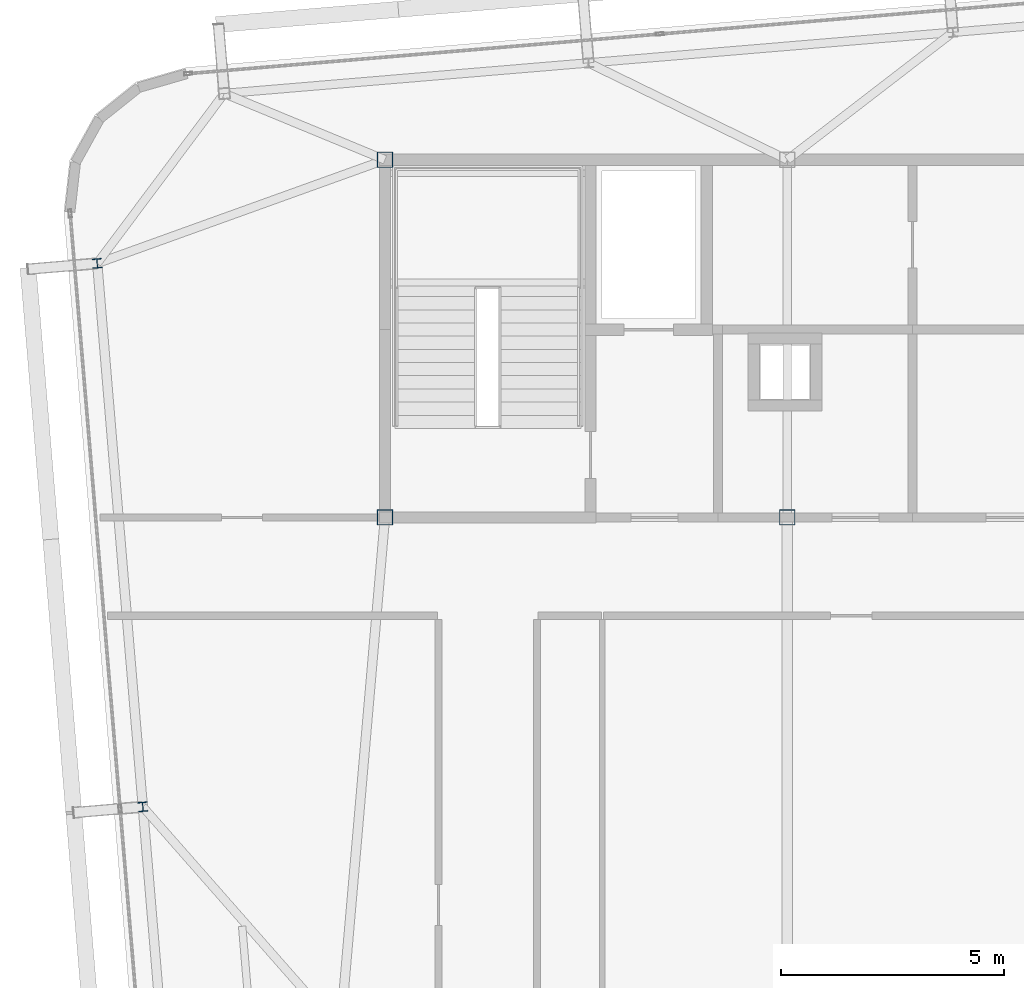
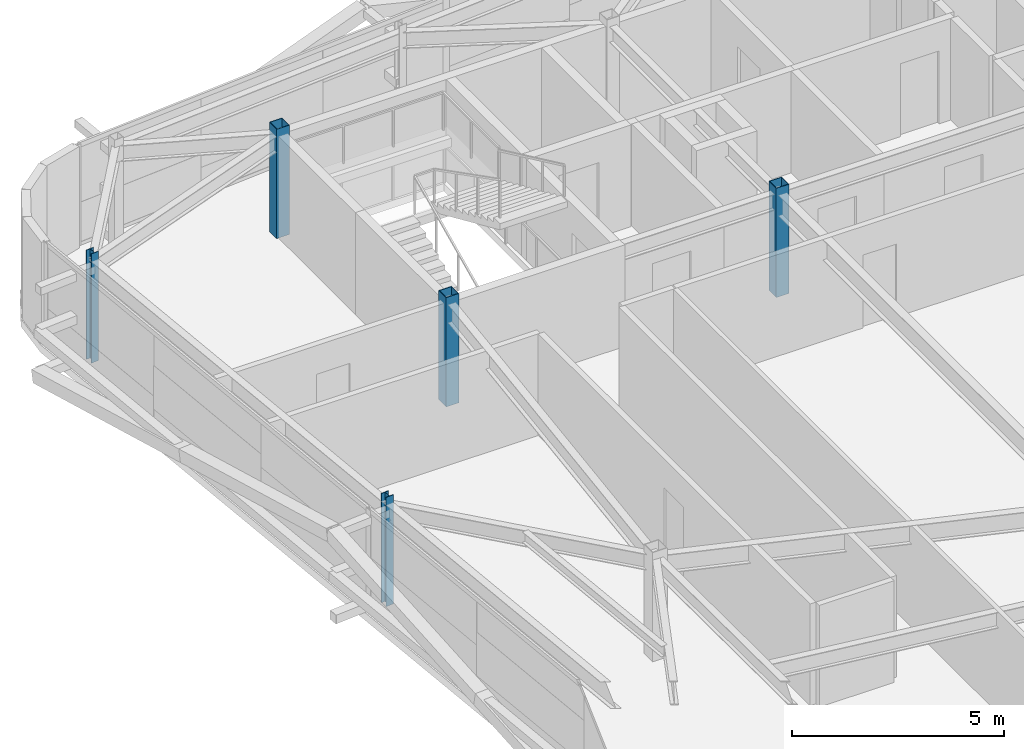
# One storey, part 2 of 39: 5 columns.
"""IFC4 building model written with IfcOpenShell, lengths in metres."""

import ifcopenshell
import ifcopenshell.guid

model = None  # the IFC model being written
_history = None  # IfcOwnerHistory: only IFC2X3 demands one
_inside = {}  # id of a spatial element -> (the spatial element, [elements in it])
_under = {}  # id of a project, library or spatial element -> (it, [spatial elements below it])
_declared = {}  # id of a project -> (the project, [libraries it declares])
_typed = {}  # id of a type object -> (the type object, [elements of that type])
_made_of = {}  # id of a material, layer set ... -> (it, [elements and type objects made of it])


def new_model(schema):
    """Start an empty IFC model of exactly this schema.

    Asked for "IFC4X3", IfcOpenShell would pick the latest addendum, in which some entities
    have other attributes; the version numbers below select the first issue.
    IFC2X3 requires an IfcOwnerHistory on every rooted entity: one is made here for all.
    """
    global model, _history
    if schema == "IFC4X3":
        model = ifcopenshell.file(schema_version=(4, 3, 0, 0))
    else:
        model = ifcopenshell.file(schema=schema)
    _inside.clear()
    _under.clear()
    _declared.clear()
    _typed.clear()
    _made_of.clear()
    _history = None
    if model.schema == "IFC2X3":
        org = make("IfcOrganization", Name="unknown")
        user = make(
            "IfcPersonAndOrganization",
            ThePerson=make("IfcPerson", FamilyName="unknown"),
            TheOrganization=org,
        )
        app = make(
            "IfcApplication",
            ApplicationDeveloper=org,
            Version="unknown",
            ApplicationFullName="unknown",
            ApplicationIdentifier="unknown",
        )
        _history = make(
            "IfcOwnerHistory",
            OwningUser=user,
            OwningApplication=app,
            ChangeAction="ADDED",
            CreationDate=0,
        )
    return model


def make(cls, **values):
    """One entity of the class cls with the attributes given. An attribute that is None is left unset."""
    return model.create_entity(
        cls, **{name: value for name, value in values.items() if value is not None}
    )


def rooted(cls, **values):
    """An entity with a GlobalId (a new one), such as an element, a storey or a relation."""
    return make(cls, GlobalId=ifcopenshell.guid.new(), OwnerHistory=_history, **values)


def si_unit(unit_type, name, prefix=None):
    """IfcSIUnit, for example si_unit("LENGTHUNIT", "METRE", prefix="MILLI")."""
    return make("IfcSIUnit", UnitType=unit_type, Prefix=prefix, Name=name)


def assignment(units):
    """IfcUnitAssignment: the units of a project."""
    return None if units is None else make("IfcUnitAssignment", Units=units)


def point(xyz):
    """IfcCartesianPoint."""
    return None if xyz is None else make("IfcCartesianPoint", Coordinates=xyz)


def direction(xyz):
    """IfcDirection."""
    return None if xyz is None else make("IfcDirection", DirectionRatios=xyz)


def frame(location, z_axis=None, x_axis=None):
    """IfcAxis2Placement3D, a coordinate frame: its origin and axes. An axis left out is left unset."""
    return make(
        "IfcAxis2Placement3D",
        Location=point(location),
        Axis=direction(z_axis),
        RefDirection=direction(x_axis),
    )


def frame_2d(location, x_axis=None):
    """IfcAxis2Placement2D, a coordinate frame in the plane: its origin and x axis."""
    return make(
        "IfcAxis2Placement2D", Location=point(location), RefDirection=direction(x_axis)
    )


def origin():
    """The frame at (0, 0, 0) with its axes left unset."""
    return frame((0.0, 0.0, 0.0))


def origin_2d():
    """The frame at (0, 0) in the plane with its x axis left unset."""
    return frame_2d((0.0, 0.0))


def place(relative_to, where):
    """IfcLocalPlacement: puts the frame where relative to a parent placement (None: the world)."""
    return make(
        "IfcLocalPlacement", PlacementRelTo=relative_to, RelativePlacement=where
    )


def context(
    kind, dimensions, precision=None, world=None, true_north=None, identifier=None
):
    """IfcGeometricRepresentationContext, for example the 3D "Model" context."""
    return make(
        "IfcGeometricRepresentationContext",
        ContextIdentifier=identifier,
        ContextType=kind,
        CoordinateSpaceDimension=dimensions,
        Precision=precision,
        WorldCoordinateSystem=world,
        TrueNorth=true_north,
    )


def subcontext(parent, identifier, kind, view, scale=None):
    """IfcGeometricRepresentationSubContext, for example "Body" below "Model"."""
    return make(
        "IfcGeometricRepresentationSubContext",
        ContextIdentifier=identifier,
        ContextType=kind,
        ParentContext=parent,
        TargetScale=scale,
        TargetView=view,
    )


def project(units=None, contexts=None):
    """IfcProject with its units and contexts."""
    return rooted(
        "IfcProject",
        Name="project",
        RepresentationContexts=contexts,
        UnitsInContext=assignment(units),
    )


def spatial(cls, under=None, at=None, **own):
    """A site, building, storey or space (cls), placed at a placement, below another one or the project."""
    s = rooted(cls, ObjectPlacement=at, **own)
    if under is not None:
        _under.setdefault(under.id(), (under, []))[1].append(s)
    return s


def profile(cls, at=None, kind="AREA", **sizes):
    """A parametric profile (cls). Its sizes go by their IFC names, for example OverallWidth=200.0."""
    return make(cls, ProfileType=kind, Position=at, **sizes)


def hollow_rectangle(**sizes):
    """IfcRectangleHollowProfileDef."""
    return profile("IfcRectangleHollowProfileDef", **sizes)


def i_section(**sizes):
    """IfcIShapeProfileDef."""
    return profile("IfcIShapeProfileDef", **sizes)


def extrude(swept, where, along, depth):
    """IfcExtrudedAreaSolid: the profile swept, set in the frame where, extruded along a direction by depth."""
    return make(
        "IfcExtrudedAreaSolid",
        SweptArea=swept,
        Position=where,
        ExtrudedDirection=direction(along),
        Depth=depth,
    )


def shape(context_of_items, identifier, shape_type, items):
    """IfcShapeRepresentation: the items that make up one representation, for example the "Body"."""
    return make(
        "IfcShapeRepresentation",
        ContextOfItems=context_of_items,
        RepresentationIdentifier=identifier,
        RepresentationType=shape_type,
        Items=items,
    )


def source(mapping_origin, context_of_items, identifier, shape_type, items):
    """IfcRepresentationMap: a shape defined once, which mapped items show again and again."""
    return make(
        "IfcRepresentationMap",
        MappingOrigin=mapping_origin,
        MappedRepresentation=shape(context_of_items, identifier, shape_type, items),
    )


def transform(
    local_origin,
    x_axis=None,
    y_axis=None,
    z_axis=None,
    scale=None,
    scale2=None,
    scale3=None,
    uniform=True,
):
    """IfcCartesianTransformationOperator3D, or its non-uniform kind. x_axis, y_axis, z_axis: its Axis1, 2, 3."""
    if uniform:
        return make(
            "IfcCartesianTransformationOperator3D",
            Axis1=direction(x_axis),
            Axis2=direction(y_axis),
            LocalOrigin=point(local_origin),
            Scale=scale,
            Axis3=direction(z_axis),
        )
    return make(
        "IfcCartesianTransformationOperator3DnonUniform",
        Axis1=direction(x_axis),
        Axis2=direction(y_axis),
        LocalOrigin=point(local_origin),
        Scale=scale,
        Axis3=direction(z_axis),
        Scale2=scale2,
        Scale3=scale3,
    )


def mapped(mapping_source, mapping_target):
    """IfcMappedItem: shows the shape of a source again, moved by a transform."""
    return make(
        "IfcMappedItem", MappingSource=mapping_source, MappingTarget=mapping_target
    )


def material(Name=None, Category=None):
    """IfcMaterial."""
    return make("IfcMaterial", Name=Name, Category=Category)


def material_profile(
    of_material, cross_section, Name=None, Category=None, Priority=None
):
    """IfcMaterialProfile: a cross section and its material."""
    return make(
        "IfcMaterialProfile",
        Name=Name,
        Material=of_material,
        Profile=cross_section,
        Priority=Priority,
        Category=Category,
    )


def profile_set(profiles, Name=None, composite=None):
    """IfcMaterialProfileSet."""
    return make(
        "IfcMaterialProfileSet",
        Name=Name,
        MaterialProfiles=profiles,
        CompositeProfile=composite,
    )


def made_of(thing, what):
    """Note that an element or type object is made of a material, layer set ...; save() writes the relation."""
    if what is not None:
        _made_of.setdefault(what.id(), (what, []))[1].append(thing)
    return thing


def type_object(cls, material=None, **own):
    """A type object (cls), such as IfcWallType, which elements share."""
    return made_of(rooted(cls, **own), material)


def element(
    cls,
    number,
    at=None,
    inside=None,
    cuts=None,
    type_object=None,
    material=None,
    context=None,
    identifier="Body",
    shape_type=None,
    held_by="IfcProductDefinitionShape",
    body=None,
    shapes=None,
    **own,
):
    """One element of the class cls, such as IfcWall. Its Tag is "e" and its number.

    at: its placement. inside: the storey or other place that contains it. cuts: it is an
    opening in that element (IfcRelVoidsElement). A single representation is given by context,
    identifier, shape_type and body (its items); several are given by shapes. held_by: the class
    of the entity that holds the representations. save() writes the other relations.
    """
    e = rooted(cls, Tag="e%d" % number, ObjectPlacement=at, **own)
    if body is not None:
        shapes = [shape(context, identifier, shape_type, body)]
    if shapes is not None:
        e.Representation = make(held_by, Representations=shapes)
    if inside is not None:
        _inside.setdefault(inside.id(), (inside, []))[1].append(e)
    if cuts is not None:
        rooted(
            "IfcRelVoidsElement", RelatingBuildingElement=cuts, RelatedOpeningElement=e
        )
    if type_object is not None:
        _typed.setdefault(type_object.id(), (type_object, []))[1].append(e)
    return made_of(e, material)


def aggregate(whole, parts):
    """IfcRelAggregates: a whole, such as a stair, and the parts it consists of."""
    return rooted("IfcRelAggregates", RelatingObject=whole, RelatedObjects=parts)


def save(model, path):
    """Write the relations noted so far, then the file.

    IfcRelAggregates (storeys below a building ...), IfcRelContainedInSpatialStructure (elements
    in a storey), IfcRelDefinesByType, IfcRelAssociatesMaterial and IfcRelDeclares: one each for
    every whole, place, type object, material and project.
    """
    for whole, parts in _under.values():
        aggregate(whole, parts)
    for where, things in _inside.values():
        rooted(
            "IfcRelContainedInSpatialStructure",
            RelatedElements=things,
            RelatingStructure=where,
        )
    for kind, things in _typed.values():
        rooted("IfcRelDefinesByType", RelatedObjects=things, RelatingType=kind)
    for what, things in _made_of.values():
        rooted("IfcRelAssociatesMaterial", RelatedObjects=things, RelatingMaterial=what)
    for by, libraries in _declared.values():
        rooted("IfcRelDeclares", RelatingContext=by, RelatedDefinitions=libraries)
    model.write(path)


model = new_model("IFC4")

# Units and contexts
model_context = context("Model", 3, precision=1e-05, world=origin(), true_north=direction((0.0, 1.0)))
body_context = subcontext(model_context, "Body", "Model", "MODEL_VIEW")
ifc_project = project(units=[si_unit("LENGTHUNIT", "METRE"), si_unit("AREAUNIT", "SQUARE_METRE"), si_unit("VOLUMEUNIT", "CUBIC_METRE"), si_unit("PLANEANGLEUNIT", "RADIAN"), si_unit("MASSUNIT", "GRAM", prefix="KILO")], contexts=[model_context])

# Site, building, storey
site_placement = place(None, origin())
site = spatial("IfcSite", under=ifc_project, at=site_placement, CompositionType="ELEMENT")
building_placement = place(site_placement, origin())
building = spatial("IfcBuilding", under=site, at=building_placement, Name="Taldren Reach Tower", CompositionType="ELEMENT")
storey_placement = place(building_placement, frame((0.0, 0.0, 197.75)))
storey = spatial("IfcBuildingStorey", under=building, at=storey_placement, Name="L60", CompositionType="ELEMENT", Elevation=197.75)

# Columns
ifc_material_1 = material(Name="Steel Gr 450 (C450L0)", Category="steel")
ifc_material_profile_1 = material_profile(ifc_material_1, hollow_rectangle(XDim=0.35009765625, YDim=0.35009765625, WallThickness=0.01611328125, at=origin_2d()), Name="350x350x16.0SHS")
ifc_profile_set_1 = profile_set([ifc_material_profile_1], Name="Steel Gr 450 (C450L0)")
column_type_1 = type_object("IfcColumnType", Name="COL-SHS350", PredefinedType="COLUMN", material=ifc_profile_set_1)
shared_shape_1 = source(origin(), body_context, "Body", "SweptSolid", [
    extrude(hollow_rectangle(XDim=0.35009765625, YDim=0.35009765625, WallThickness=0.01611328125, at=origin_2d()), origin(), (0.0, 0.0, 1.0), 3.14990234375),
])
for number, where, z_axis, x_axis, name in (
    (1, (19.0, 24.0, 0.0), (0.0, 0.0, 1.0), (1.0, 0.0, 0.0), "Mega column MC-C1 L60"),
    (2, (28.0, 24.0, 0.0), (0.0, 0.0, 1.0), (1.0, 0.0, 0.0), "Mega column MC-C2 L60"),
    (3, (19.0, 32.0, 0.0), (0.0, 0.0, 1.0), (1.0, 0.0, 0.0), "Mega column MC-C5 L60"),
):
    element("IfcColumn", number, at=place(storey_placement, frame(where, z_axis=z_axis, x_axis=x_axis)), inside=storey, type_object=column_type_1, Name=name, PredefinedType="COLUMN", context=body_context, shape_type="MappedRepresentation", body=[
        mapped(shared_shape_1, transform((0.0, 0.0, 0.0), scale=1.0)),
    ])
ifc_material_2 = material(Name="Steel Gr 350 (350PLUS)", Category="steel")
ifc_material_profile_2 = material_profile(ifc_material_2, i_section(OverallWidth=0.205078125, OverallDepth=0.2099609375, WebThickness=0.00927734375, FlangeThickness=0.01416015625, at=origin_2d()), Name="200UC59.5")
ifc_profile_set_2 = profile_set([ifc_material_profile_2], Name="Steel Gr 350 (350PLUS)")
column_type_2 = type_object("IfcColumnType", Name="COL-UC200", PredefinedType="COLUMN", material=ifc_profile_set_2)
shared_shape_2 = source(origin(), body_context, "Body", "SweptSolid", [
    extrude(i_section(OverallWidth=0.205078125, OverallDepth=0.2099609375, WebThickness=0.00927734375, FlangeThickness=0.01416015625, at=origin_2d()), origin(), (0.0, 0.0, 1.0), 3.14990234375),
])
for number, where, z_axis, x_axis, name in (
    (4, (13.582763671875, 17.525146484375, 0.0), (0.0, 0.0, 1.0), (0.99649285925, 0.083677843332, 0.0), "Block B4 perimeter column W2 L60"),
    (5, (12.56201171875, 29.682373046875, 0.0), (0.0, 0.0, 1.0), (0.99649285925, 0.083677843332, 0.0), "Block B4 perimeter column W3 L60"),
):
    element("IfcColumn", number, at=place(storey_placement, frame(where, z_axis=z_axis, x_axis=x_axis)), inside=storey, type_object=column_type_2, Name=name, PredefinedType="COLUMN", context=body_context, shape_type="MappedRepresentation", body=[
        mapped(shared_shape_2, transform((0.0, 0.0, 0.0), scale=1.0)),
    ])

save(model, "model.ifc")
